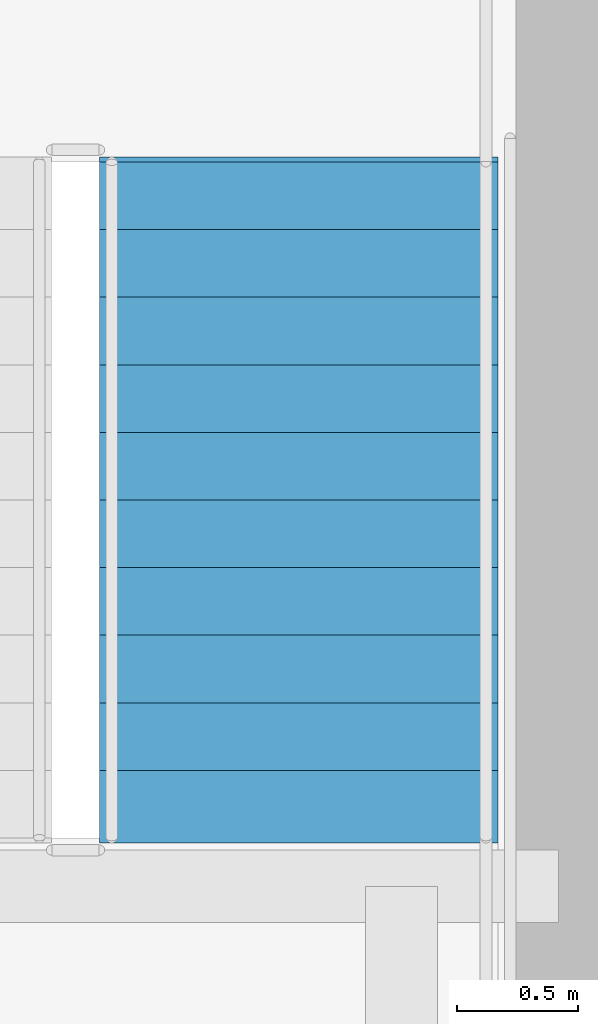
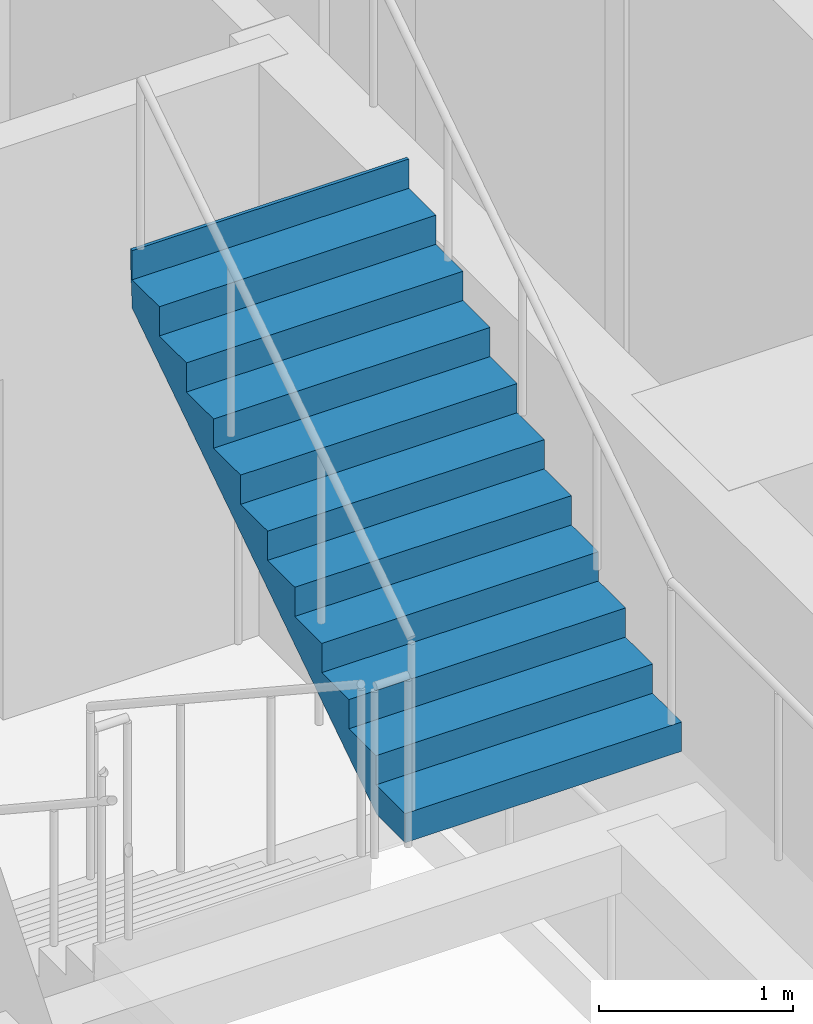
# One storey, part 35 of 40: 1 stair flight, 1 element without a shape of its own.
"""IFC4 building model written with IfcOpenShell, lengths in metres."""

from ifc_helpers import new_model, si_unit, direction, frame, origin, place, context, subcontext, project, spatial, polygons, material, type_object, element, aggregate, save


model = new_model("IFC4")

# Units and contexts
model_context = context("Model", 3, precision=1e-05, world=origin(), true_north=direction((0.0, 1.0)))
body_context = subcontext(model_context, "Body", "Model", "MODEL_VIEW")
ifc_project = project(units=[si_unit("LENGTHUNIT", "METRE"), si_unit("AREAUNIT", "SQUARE_METRE"), si_unit("VOLUMEUNIT", "CUBIC_METRE"), si_unit("PLANEANGLEUNIT", "RADIAN"), si_unit("MASSUNIT", "GRAM", prefix="KILO")], contexts=[model_context])

# Site, building, storey
site_placement = place(None, origin())
site = spatial("IfcSite", under=ifc_project, at=site_placement, CompositionType="ELEMENT")
building_placement = place(site_placement, origin())
building = spatial("IfcBuilding", under=site, at=building_placement, Name="Serunith Strait Residences", CompositionType="ELEMENT")
storey_placement = place(building_placement, frame((0.0, 0.0, 333.949951171875)))
storey = spatial("IfcBuildingStorey", under=building, at=storey_placement, Name="L83", CompositionType="ELEMENT", Elevation=333.949951171875)

# Stair, stair flight
ifc_material = material(Name="Concrete C50/60", Category="concrete")
stair_type = type_object("IfcStairType", Name="STR-CORE-2", PredefinedType="HALF_TURN_STAIR", material=ifc_material)
stair_placement = place(storey_placement, origin())
stair = element("IfcStair", 1, at=stair_placement, inside=storey, type_object=stair_type, Name="L83 Protected Escape Stair ST-2", PredefinedType="HALF_TURN_STAIR")
stair_flight_type = type_object("IfcStairFlightType", Name="FLT-CORE-2", PredefinedType="STRAIGHT", material=ifc_material)
stair_flight_placement = place(storey_placement, frame((40.324951171875, 20.570068359375, 2.025146484375), z_axis=(0.0, 0.0, 1.0), x_axis=(0.0, 1.0, 0.0)))
stair_flight = element("IfcStairFlight", 2, at=stair_flight_placement, type_object=stair_flight_type, Name="ST-2 flight 2", NumberOfRisers=11, NumberOfTreads=10, PredefinedType="STRAIGHT", RiserHeight=0.184090909, TreadLength=0.28, context=body_context, shape_type="Tessellation", body=[
    polygons([(-0.02001953125, -0.824951171875, 0.0), (-0.02001953125, -0.824951171875, 0.18408203125), (0.280029296875, -0.824951171875, 0.18408203125), (0.280029296875, -0.824951171875, 0.3681640625), (0.56005859375, -0.824951171875, 0.3681640625), (0.56005859375, -0.824951171875, 0.55224609375), (0.840087890625, -0.824951171875, 0.55224609375), (0.840087890625, -0.824951171875, 0.736328125), (1.1201171875, -0.824951171875, 0.736328125), (1.1201171875, -0.824951171875, 0.92041015625), (1.39990234375, -0.824951171875, 0.92041015625), (1.39990234375, -0.824951171875, 1.1044921875), (1.679931640625, -0.824951171875, 1.1044921875), (1.679931640625, -0.824951171875, 1.28857421875), (1.9599609375, -0.824951171875, 1.28857421875), (1.9599609375, -0.824951171875, 1.47265625), (2.239990234375, -0.824951171875, 1.47265625), (2.239990234375, -0.824951171875, 1.65673828125), (2.52001953125, -0.824951171875, 1.65673828125), (2.52001953125, -0.824951171875, 1.8408203125), (2.800048828125, -0.824951171875, 1.8408203125), (2.800048828125, -0.824951171875, 2.02490234375), (2.820068359375, -0.824951171875, 2.02490234375), (2.820068359375, -0.824951171875, 1.965087890625), (2.800048828125, -0.824951171875, 1.66162109375), (0.27294921875, -0.824951171875, 0.0), (-0.02001953125, -0.41259765625, 0.0), (-0.02001953125, -0.41259765625, 0.18408203125), (0.280029296875, -0.41259765625, 0.18408203125), (0.280029296875, -0.41259765625, 0.3681640625), (0.56005859375, -0.41259765625, 0.3681640625), (0.56005859375, -0.41259765625, 0.55224609375), (0.840087890625, -0.41259765625, 0.55224609375), (0.840087890625, -0.41259765625, 0.736328125), (1.1201171875, -0.41259765625, 0.736328125), (1.1201171875, -0.41259765625, 0.92041015625), (1.39990234375, -0.41259765625, 0.92041015625), (1.39990234375, -0.41259765625, 1.1044921875), (1.679931640625, -0.41259765625, 1.1044921875), (1.679931640625, -0.41259765625, 1.28857421875), (1.9599609375, -0.41259765625, 1.28857421875), (1.9599609375, -0.41259765625, 1.47265625), (2.239990234375, -0.41259765625, 1.47265625), (2.239990234375, -0.41259765625, 1.65673828125), (2.52001953125, -0.41259765625, 1.65673828125), (2.52001953125, -0.41259765625, 1.8408203125), (2.800048828125, -0.41259765625, 1.8408203125), (2.800048828125, -0.41259765625, 2.02490234375), (2.820068359375, -0.41259765625, 2.02490234375), (2.820068359375, -0.41259765625, 1.965087890625), (2.800048828125, -0.41259765625, 1.66162109375), (0.27294921875, -0.41259765625, 0.0), (-0.02001953125, 0.0, 0.0), (-0.02001953125, 0.0, 0.18408203125), (0.280029296875, 0.0, 0.18408203125), (0.280029296875, 0.0, 0.3681640625), (0.56005859375, 0.0, 0.3681640625), (0.56005859375, 0.0, 0.55224609375), (0.840087890625, 0.0, 0.55224609375), (0.840087890625, 0.0, 0.736328125), (1.1201171875, 0.0, 0.736328125), (1.1201171875, 0.0, 0.92041015625), (1.39990234375, 0.0, 0.92041015625), (1.39990234375, 0.0, 1.1044921875), (1.679931640625, 0.0, 1.1044921875), (1.679931640625, 0.0, 1.28857421875), (1.9599609375, 0.0, 1.28857421875), (1.9599609375, 0.0, 1.47265625), (2.239990234375, 0.0, 1.47265625), (2.239990234375, 0.0, 1.65673828125), (2.52001953125, 0.0, 1.65673828125), (2.52001953125, 0.0, 1.8408203125), (2.800048828125, 0.0, 1.8408203125), (2.800048828125, 0.0, 2.02490234375), (2.820068359375, 0.0, 2.02490234375), (2.820068359375, 0.0, 1.965087890625), (2.800048828125, 0.0, 1.66162109375), (0.27294921875, 0.0, 0.0), (-0.02001953125, 0.41259765625, 0.0), (-0.02001953125, 0.41259765625, 0.18408203125), (0.280029296875, 0.41259765625, 0.18408203125), (0.280029296875, 0.41259765625, 0.3681640625), (0.56005859375, 0.41259765625, 0.3681640625), (0.56005859375, 0.41259765625, 0.55224609375), (0.840087890625, 0.41259765625, 0.55224609375), (0.840087890625, 0.41259765625, 0.736328125), (1.1201171875, 0.41259765625, 0.736328125), (1.1201171875, 0.41259765625, 0.92041015625), (1.39990234375, 0.41259765625, 0.92041015625), (1.39990234375, 0.41259765625, 1.1044921875), (1.679931640625, 0.41259765625, 1.1044921875), (1.679931640625, 0.41259765625, 1.28857421875), (1.9599609375, 0.41259765625, 1.28857421875), (1.9599609375, 0.41259765625, 1.47265625), (2.239990234375, 0.41259765625, 1.47265625), (2.239990234375, 0.41259765625, 1.65673828125), (2.52001953125, 0.41259765625, 1.65673828125), (2.52001953125, 0.41259765625, 1.8408203125), (2.800048828125, 0.41259765625, 1.8408203125), (2.800048828125, 0.41259765625, 2.02490234375), (2.820068359375, 0.41259765625, 2.02490234375), (2.820068359375, 0.41259765625, 1.965087890625), (2.800048828125, 0.41259765625, 1.66162109375), (0.27294921875, 0.41259765625, 0.0), (-0.02001953125, 0.824951171875, 0.0), (-0.02001953125, 0.824951171875, 0.18408203125), (0.280029296875, 0.824951171875, 0.18408203125), (0.280029296875, 0.824951171875, 0.3681640625), (0.56005859375, 0.824951171875, 0.3681640625), (0.56005859375, 0.824951171875, 0.55224609375), (0.840087890625, 0.824951171875, 0.55224609375), (0.840087890625, 0.824951171875, 0.736328125), (1.1201171875, 0.824951171875, 0.736328125), (1.1201171875, 0.824951171875, 0.92041015625), (1.39990234375, 0.824951171875, 0.92041015625), (1.39990234375, 0.824951171875, 1.1044921875), (1.679931640625, 0.824951171875, 1.1044921875), (1.679931640625, 0.824951171875, 1.28857421875), (1.9599609375, 0.824951171875, 1.28857421875), (1.9599609375, 0.824951171875, 1.47265625), (2.239990234375, 0.824951171875, 1.47265625), (2.239990234375, 0.824951171875, 1.65673828125), (2.52001953125, 0.824951171875, 1.65673828125), (2.52001953125, 0.824951171875, 1.8408203125), (2.800048828125, 0.824951171875, 1.8408203125), (2.800048828125, 0.824951171875, 2.02490234375), (2.820068359375, 0.824951171875, 2.02490234375), (2.820068359375, 0.824951171875, 1.965087890625), (2.800048828125, 0.824951171875, 1.66162109375), (0.27294921875, 0.824951171875, 0.0)], [[[1, 2, 28, 27]], [[2, 3, 29, 28]], [[3, 4, 30, 29]], [[4, 5, 31, 30]], [[5, 6, 32, 31]], [[6, 7, 33, 32]], [[7, 8, 34, 33]], [[8, 9, 35, 34]], [[9, 10, 36, 35]], [[10, 11, 37, 36]], [[11, 12, 38, 37]], [[12, 13, 39, 38]], [[13, 14, 40, 39]], [[14, 15, 41, 40]], [[15, 16, 42, 41]], [[16, 17, 43, 42]], [[17, 18, 44, 43]], [[18, 19, 45, 44]], [[19, 20, 46, 45]], [[20, 21, 47, 46]], [[21, 22, 48, 47]], [[22, 23, 49, 48]], [[23, 24, 50, 49]], [[24, 25, 51, 50]], [[25, 26, 52, 51]], [[26, 1, 27, 52]], [[27, 28, 54, 53]], [[28, 29, 55, 54]], [[29, 30, 56, 55]], [[30, 31, 57, 56]], [[31, 32, 58, 57]], [[32, 33, 59, 58]], [[33, 34, 60, 59]], [[34, 35, 61, 60]], [[35, 36, 62, 61]], [[36, 37, 63, 62]], [[37, 38, 64, 63]], [[38, 39, 65, 64]], [[39, 40, 66, 65]], [[40, 41, 67, 66]], [[41, 42, 68, 67]], [[42, 43, 69, 68]], [[43, 44, 70, 69]], [[44, 45, 71, 70]], [[45, 46, 72, 71]], [[46, 47, 73, 72]], [[47, 48, 74, 73]], [[48, 49, 75, 74]], [[49, 50, 76, 75]], [[50, 51, 77, 76]], [[51, 52, 78, 77]], [[52, 27, 53, 78]], [[53, 54, 80, 79]], [[54, 55, 81, 80]], [[55, 56, 82, 81]], [[56, 57, 83, 82]], [[57, 58, 84, 83]], [[58, 59, 85, 84]], [[59, 60, 86, 85]], [[60, 61, 87, 86]], [[61, 62, 88, 87]], [[62, 63, 89, 88]], [[63, 64, 90, 89]], [[64, 65, 91, 90]], [[65, 66, 92, 91]], [[66, 67, 93, 92]], [[67, 68, 94, 93]], [[68, 69, 95, 94]], [[69, 70, 96, 95]], [[70, 71, 97, 96]], [[71, 72, 98, 97]], [[72, 73, 99, 98]], [[73, 74, 100, 99]], [[74, 75, 101, 100]], [[75, 76, 102, 101]], [[76, 77, 103, 102]], [[77, 78, 104, 103]], [[78, 53, 79, 104]], [[79, 80, 106, 105]], [[80, 81, 107, 106]], [[81, 82, 108, 107]], [[82, 83, 109, 108]], [[83, 84, 110, 109]], [[84, 85, 111, 110]], [[85, 86, 112, 111]], [[86, 87, 113, 112]], [[87, 88, 114, 113]], [[88, 89, 115, 114]], [[89, 90, 116, 115]], [[90, 91, 117, 116]], [[91, 92, 118, 117]], [[92, 93, 119, 118]], [[93, 94, 120, 119]], [[94, 95, 121, 120]], [[95, 96, 122, 121]], [[96, 97, 123, 122]], [[97, 98, 124, 123]], [[98, 99, 125, 124]], [[99, 100, 126, 125]], [[100, 101, 127, 126]], [[101, 102, 128, 127]], [[102, 103, 129, 128]], [[103, 104, 130, 129]], [[104, 79, 105, 130]], [[26, 25, 24, 23, 22, 21, 20, 19, 18, 17, 16, 15, 14, 13, 12, 11, 10, 9, 8, 7, 6, 5, 4, 3, 2, 1]], [[105, 106, 107, 108, 109, 110, 111, 112, 113, 114, 115, 116, 117, 118, 119, 120, 121, 122, 123, 124, 125, 126, 127, 128, 129, 130]]], closed=True),
])
aggregate(stair, [stair_flight])

save(model, "model.ifc")
